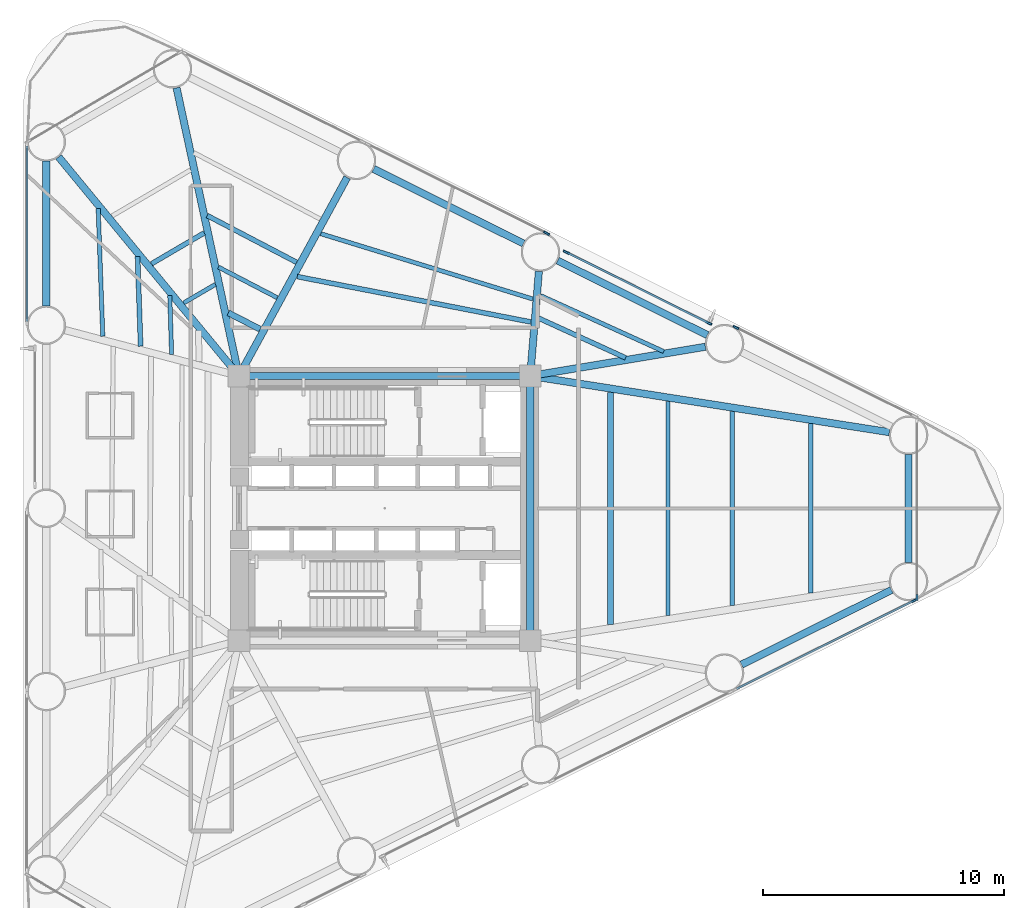
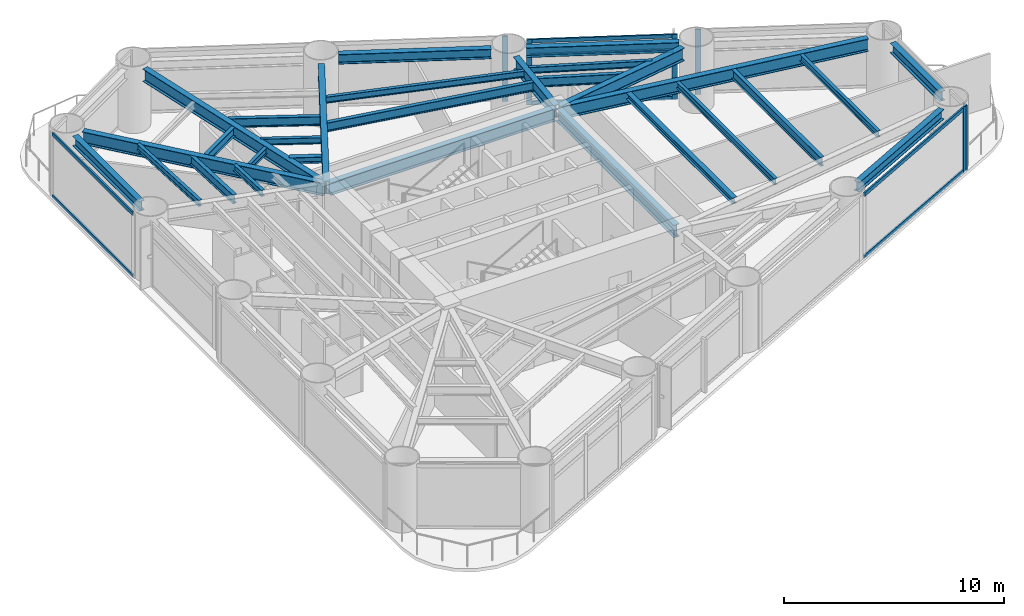
# One storey, part 3 of 10: 29 beams, 13 members, 6 elements without a shape of their own.
"""IFC4 building model written with IfcOpenShell, lengths in metres."""

from ifc_helpers import new_model, si_unit, direction, frame, origin, origin_2d, place, context, subcontext, project, spatial, rectangle, i_section, extrude, source, transform, mapped, material, layer, layer_set, material_profile, profile_set, type_object, element, aggregate, save


model = new_model("IFC4")

# Units and contexts
model_context = context("Model", 3, precision=1e-05, world=origin(), true_north=direction((0.0, 1.0)))
body_context = subcontext(model_context, "Body", "Model", "MODEL_VIEW")
ifc_project = project(units=[si_unit("LENGTHUNIT", "METRE"), si_unit("AREAUNIT", "SQUARE_METRE"), si_unit("VOLUMEUNIT", "CUBIC_METRE"), si_unit("PLANEANGLEUNIT", "RADIAN"), si_unit("MASSUNIT", "GRAM", prefix="KILO")], contexts=[model_context])

# Site, building, storey
site_placement = place(None, origin())
site = spatial("IfcSite", under=ifc_project, at=site_placement, CompositionType="ELEMENT")
building_placement = place(site_placement, origin())
building = spatial("IfcBuilding", under=site, at=building_placement, Name="Yunling Apex Tower", CompositionType="ELEMENT")
storey_placement = place(building_placement, frame((0.0, 0.0, 27.5)))
storey = spatial("IfcBuildingStorey", under=building, at=storey_placement, Name="L08", CompositionType="ELEMENT", Elevation=27.5)

# Beams
ifc_material_1 = material(Name="Steel Q355B", Category="steel")
ifc_material_profile_1 = material_profile(ifc_material_1, i_section(OverallWidth=0.300048828125, OverallDepth=0.699951171875, WebThickness=0.012939453125, FlangeThickness=0.02392578125, FilletRadius=0.02587890625, at=origin_2d()))
ifc_profile_set_1 = profile_set([ifc_material_profile_1], Name="Steel Q355B")
beam_type_1 = type_object("IfcBeamType", Name="BG-PRI-3", PredefinedType="USERDEFINED", material=ifc_profile_set_1)
shared_shape_1 = source(origin(), body_context, "Body", "SweptSolid", [
    extrude(i_section(OverallWidth=0.300048828125, OverallDepth=0.699951171875, WebThickness=0.012939453125, FlangeThickness=0.02392578125, FilletRadius=0.02587890625, at=origin_2d()), origin(), (0.0, 0.0, 1.0), 11.7998046875),
])
beam_1_placement = place(storey_placement, frame((5.89990234375, 5.5, 3.1650390625), z_axis=(-1.0, 0.0, 0.0), x_axis=(0.0, -1.0, 0.0)))
element("IfcBeam", 1, at=beam_1_placement, inside=storey, type_object=beam_type_1, Name="L08 Core Ring Tie Beam 3", ObjectType="GIRDER", PredefinedType="USERDEFINED", context=body_context, shape_type="MappedRepresentation", body=[
    mapped(shared_shape_1, transform((0.0, 0.0, 0.0), scale=1.0)),
])
shared_shape_2 = source(origin(), body_context, "Body", "SweptSolid", [
    extrude(i_section(OverallWidth=0.300048828125, OverallDepth=0.699951171875, WebThickness=0.012939453125, FlangeThickness=0.02392578125, FilletRadius=0.02587890625, at=origin_2d()), origin(), (0.0, 0.0, 1.0), 10.7001953125),
])
beam_2_placement = place(storey_placement, frame((6.050048828125, -5.35009765625, 3.1650390625), z_axis=(0.0, 1.0, 0.0), x_axis=(-1.0, 0.0, 0.0)))
element("IfcBeam", 2, at=beam_2_placement, inside=storey, type_object=beam_type_1, Name="L08 Core Ring Tie Beam 2", ObjectType="GIRDER", PredefinedType="USERDEFINED", context=body_context, shape_type="MappedRepresentation", body=[
    mapped(shared_shape_2, transform((0.0, 0.0, 0.0), scale=1.0)),
])
ifc_material_profile_2 = material_profile(ifc_material_1, i_section(OverallWidth=0.300048828125, OverallDepth=0.5400390625, WebThickness=0.011962890625, FlangeThickness=0.02001953125, FilletRadius=0.02392578125, at=origin_2d()))
ifc_profile_set_2 = profile_set([ifc_material_profile_2], Name="Steel Q355B")
beam_type_2 = type_object("IfcBeamType", Name="BP-SPN-1", PredefinedType="SPANDREL", material=ifc_profile_set_2)
shared_shape_3 = source(origin(), body_context, "Body", "SweptSolid", [
    extrude(i_section(OverallWidth=0.300048828125, OverallDepth=0.5400390625, WebThickness=0.011962890625, FlangeThickness=0.02001953125, FilletRadius=0.02392578125, at=origin_2d()), origin(), (0.0, 0.0, 1.0), 6.950927734375),
])
for number, where, z_axis, x_axis, name in (
    (3, (14.83251953125, -6.48974609375, 3.2451171875), (0.895247556401, 0.445569088646, 0.0), (-0.445569088646, 0.895247556401, 0.0), "L08 Perimeter Spandrel Beam 4"),
    (4, (5.7666015625, 11.002197265625, 3.2451171875), (-0.895247556401, 0.445569088646, 0.0), (-0.445569088646, -0.895247556401, 0.0), "L08 Perimeter Spandrel Beam 8"),
):
    element("IfcBeam", number, at=place(storey_placement, frame(where, z_axis=z_axis, x_axis=x_axis)), inside=storey, type_object=beam_type_2, Name=name, PredefinedType="SPANDREL", context=body_context, shape_type="MappedRepresentation", body=[
        mapped(shared_shape_3, transform((0.0, 0.0, 0.0), scale=1.0)),
    ])
shared_shape_4 = source(origin(), body_context, "Body", "SweptSolid", [
    extrude(i_section(OverallWidth=0.300048828125, OverallDepth=0.5400390625, WebThickness=0.011962890625, FlangeThickness=0.02001953125, FilletRadius=0.02392578125, at=origin_2d()), origin(), (0.0, 0.0, 1.0), 6.95068359375),
])
beam_3_placement = place(storey_placement, frame((13.410888671875, 7.197509765625, 3.2451171875), z_axis=(-0.895254593944, 0.445554948375, 0.0), x_axis=(-0.445554948375, -0.895254593944, 0.0)))
element("IfcBeam", 5, at=beam_3_placement, inside=storey, type_object=beam_type_2, Name="L08 Perimeter Spandrel Beam 7", PredefinedType="SPANDREL", context=body_context, shape_type="MappedRepresentation", body=[
    mapped(shared_shape_4, transform((0.0, 0.0, 0.0), scale=1.0)),
])
shared_shape_5 = source(origin(), body_context, "Body", "SweptSolid", [
    extrude(i_section(OverallWidth=0.300048828125, OverallDepth=0.5400390625, WebThickness=0.011962890625, FlangeThickness=0.02001953125, FilletRadius=0.02392578125, at=origin_2d()), origin(), (0.0, 0.0, 1.0), 4.48974609375),
])
beam_4_placement = place(storey_placement, frame((21.76611328125, -2.244873046875, 3.2451171875), z_axis=(0.0, 1.0, 0.0), x_axis=(-1.0, 0.0, 0.0)))
element("IfcBeam", 6, at=beam_4_placement, inside=storey, type_object=beam_type_2, Name="L08 Perimeter Spandrel Beam 5", PredefinedType="SPANDREL", context=body_context, shape_type="MappedRepresentation", body=[
    mapped(shared_shape_5, transform((0.0, 0.0, 0.0), scale=1.0)),
])
shared_shape_6 = source(origin(), body_context, "Body", "SweptSolid", [
    extrude(i_section(OverallWidth=0.300048828125, OverallDepth=0.5400390625, WebThickness=0.011962890625, FlangeThickness=0.02001953125, FilletRadius=0.02392578125, at=origin_2d()), origin(), (0.0, 0.0, 1.0), 6.021240234375),
])
beam_5_placement = place(storey_placement, frame((-14.052001953125, 14.4248046875, 3.2451171875), z_axis=(0.0, -1.0, 0.0), x_axis=(1.0, 0.0, 0.0)))
element("IfcBeam", 7, at=beam_5_placement, inside=storey, type_object=beam_type_2, Name="L08 Perimeter Spandrel Beam 11", PredefinedType="SPANDREL", context=body_context, shape_type="MappedRepresentation", body=[
    mapped(shared_shape_6, transform((0.0, 0.0, 0.0), scale=1.0)),
])
shared_shape_7 = source(origin(), body_context, "Body", "SweptSolid", [
    extrude(i_section(OverallWidth=0.300048828125, OverallDepth=0.699951171875, WebThickness=0.012939453125, FlangeThickness=0.02392578125, FilletRadius=0.02587890625, at=origin_2d()), origin(), (0.0, 0.0, 1.0), 12.165283203125),
])
beam_6_placement = place(storey_placement, frame((-8.640625, 17.468017578125, 3.1650390625), z_axis=(0.2115638914, -0.977364169517, 0.0), x_axis=(0.977364169517, 0.2115638914, 0.0)))
element("IfcBeam", 8, at=beam_6_placement, inside=storey, type_object=beam_type_1, Name="L08 Radial Primary Girder R10", ObjectType="GIRDER", PredefinedType="USERDEFINED", context=body_context, shape_type="MappedRepresentation", body=[
    mapped(shared_shape_7, transform((0.0, 0.0, 0.0), scale=1.0)),
])
shared_shape_8 = source(origin(), body_context, "Body", "SweptSolid", [
    extrude(i_section(OverallWidth=0.300048828125, OverallDepth=0.699951171875, WebThickness=0.012939453125, FlangeThickness=0.02392578125, FilletRadius=0.02587890625, at=origin_2d()), origin(), (0.0, 0.0, 1.0), 9.31005859375),
])
beam_7_placement = place(storey_placement, frame((-1.553955078125, 13.74365234375, 3.1650390625), z_axis=(-0.478817221141, -0.877914613581, 0.0), x_axis=(0.877914613581, -0.478817221141, 0.0)))
element("IfcBeam", 9, at=beam_7_placement, inside=storey, type_object=beam_type_1, Name="L08 Radial Primary Girder R09", ObjectType="GIRDER", PredefinedType="USERDEFINED", context=body_context, shape_type="MappedRepresentation", body=[
    mapped(shared_shape_8, transform((0.0, 0.0, 0.0), scale=1.0)),
])
shared_shape_9 = source(origin(), body_context, "Body", "SweptSolid", [
    extrude(i_section(OverallWidth=0.300048828125, OverallDepth=0.699951171875, WebThickness=0.012939453125, FlangeThickness=0.02392578125, FilletRadius=0.02587890625, at=origin_2d()), origin(), (0.0, 0.0, 1.0), 4.278076171875),
])
beam_8_placement = place(storey_placement, frame((6.41064453125, 9.843017578125, 3.1650390625), z_axis=(-0.082747937789, -0.996570508691, 0.0), x_axis=(0.996570508691, -0.082747937789, 0.0)))
element("IfcBeam", 10, at=beam_8_placement, inside=storey, type_object=beam_type_1, Name="L08 Radial Primary Girder R08", ObjectType="GIRDER", PredefinedType="USERDEFINED", context=body_context, shape_type="MappedRepresentation", body=[
    mapped(shared_shape_9, transform((0.0, 0.0, 0.0), scale=1.0)),
])
shared_shape_10 = source(origin(), body_context, "Body", "SweptSolid", [
    extrude(i_section(OverallWidth=0.300048828125, OverallDepth=0.699951171875, WebThickness=0.012939453125, FlangeThickness=0.02392578125, FilletRadius=0.02587890625, at=origin_2d()), origin(), (0.0, 0.0, 1.0), 7.294921875),
])
beam_9_placement = place(storey_placement, frame((13.32470703125, 6.7109375, 3.1650390625), z_axis=(-0.98642827455, -0.164192750049, 0.0), x_axis=(0.164192750049, -0.98642827455, 0.0)))
element("IfcBeam", 11, at=beam_9_placement, inside=storey, type_object=beam_type_1, Name="L08 Radial Primary Girder R07", ObjectType="GIRDER", PredefinedType="USERDEFINED", context=body_context, shape_type="MappedRepresentation", body=[
    mapped(shared_shape_10, transform((0.0, 0.0, 0.0), scale=1.0)),
])
shared_shape_11 = source(origin(), body_context, "Body", "SweptSolid", [
    extrude(i_section(OverallWidth=0.300048828125, OverallDepth=0.699951171875, WebThickness=0.012939453125, FlangeThickness=0.02392578125, FilletRadius=0.02587890625, at=origin_2d()), origin(), (0.0, 0.0, 1.0), 15.02001953125),
])
beam_10_placement = place(storey_placement, frame((20.968017578125, 3.163818359375, 3.1650390625), z_axis=(-0.987959991473, 0.154709583568, 0.0), x_axis=(-0.154709583568, -0.987959991473, 0.0)))
element("IfcBeam", 12, at=beam_10_placement, inside=storey, type_object=beam_type_1, Name="L08 Radial Primary Girder R06", ObjectType="GIRDER", PredefinedType="USERDEFINED", context=body_context, shape_type="MappedRepresentation", body=[
    mapped(shared_shape_11, transform((0.0, 0.0, 0.0), scale=1.0)),
])
shared_shape_12 = source(origin(), body_context, "Body", "SweptSolid", [
    extrude(i_section(OverallWidth=0.300048828125, OverallDepth=0.699951171875, WebThickness=0.012939453125, FlangeThickness=0.02392578125, FilletRadius=0.02587890625, at=origin_2d()), origin(), (0.0, 0.0, 1.0), 11.701171875),
])
beam_11_placement = place(storey_placement, frame((-13.538330078125, 14.59521484375, 3.1650390625), z_axis=(0.635615100524, -0.772006116547, 0.0), x_axis=(0.772006116547, 0.635615100524, 0.0)))
element("IfcBeam", 13, at=beam_11_placement, inside=storey, type_object=beam_type_1, Name="L08 Radial Primary Girder R11", ObjectType="GIRDER", PredefinedType="USERDEFINED", context=body_context, shape_type="MappedRepresentation", body=[
    mapped(shared_shape_12, transform((0.0, 0.0, 0.0), scale=1.0)),
])
ifc_material_profile_3 = material_profile(ifc_material_1, i_section(OverallWidth=0.199951171875, OverallDepth=0.5, WebThickness=0.010009765625, FlangeThickness=0.01611328125, FilletRadius=0.02001953125, at=origin_2d()))
ifc_profile_set_3 = profile_set([ifc_material_profile_3], Name="Steel Q355B")
beam_type_3 = type_object("IfcBeamType", Name="BS-SEC-2", PredefinedType="BEAM", material=ifc_profile_set_3)
shared_shape_13 = source(origin(), body_context, "Body", "SweptSolid", [
    extrude(i_section(OverallWidth=0.199951171875, OverallDepth=0.5, WebThickness=0.010009765625, FlangeThickness=0.01611328125, FilletRadius=0.02001953125, at=origin_2d()), origin(), (0.0, 0.0, 1.0), 4.186279296875),
])
beam_12_placement = place(storey_placement, frame((-3.6572265625, 10.221435546875, 3.264892578125), z_axis=(-0.886028927656, 0.463629959512, 0.0), x_axis=(-0.463629959512, -0.886028927656, 0.0)))
element("IfcBeam", 14, at=beam_12_placement, inside=storey, type_object=beam_type_3, Name="L08 Composite Floor Beam BS-9", PredefinedType="BEAM", context=body_context, shape_type="MappedRepresentation", body=[
    mapped(shared_shape_13, transform((0.0, 0.0, 0.0), scale=1.0)),
])
ifc_material_profile_4 = material_profile(ifc_material_1, i_section(OverallWidth=0.175048828125, OverallDepth=0.35009765625, WebThickness=0.007080078125, FlangeThickness=0.010986328125, FilletRadius=0.013916015625, at=origin_2d()))
ifc_profile_set_4 = profile_set([ifc_material_profile_4], Name="Steel Q355B")
beam_type_4 = type_object("IfcBeamType", Name="BJ-JST-1", PredefinedType="JOIST", material=ifc_profile_set_4)
shared_shape_14 = source(origin(), body_context, "Body", "SweptSolid", [
    extrude(i_section(OverallWidth=0.175048828125, OverallDepth=0.35009765625, WebThickness=0.007080078125, FlangeThickness=0.010986328125, FilletRadius=0.013916015625, at=origin_2d()), origin(), (0.0, 0.0, 1.0), 2.7548828125),
])
beam_13_placement = place(storey_placement, frame((-4.459716796875, 8.75, 3.340087890625), z_axis=(-0.886932237595, 0.461899562584, 0.0), x_axis=(-0.461899562584, -0.886932237595, 0.0)))
element("IfcBeam", 15, at=beam_13_placement, inside=storey, type_object=beam_type_4, Name="L08 Composite Floor Joist BJ3-9", PredefinedType="JOIST", context=body_context, shape_type="MappedRepresentation", body=[
    mapped(shared_shape_14, transform((0.0, 0.0, 0.0), scale=1.0)),
])
ifc_material_profile_5 = material_profile(ifc_material_1, i_section(OverallWidth=0.25, OverallDepth=0.340087890625, WebThickness=0.009033203125, FlangeThickness=0.013916015625, FilletRadius=0.01806640625, at=origin_2d()))
ifc_profile_set_5 = profile_set([ifc_material_profile_5], Name="Steel Q355B")
beam_type_5 = type_object("IfcBeamType", Name="BJ-JST-2", PredefinedType="JOIST", material=ifc_profile_set_5)
shared_shape_15 = source(origin(), body_context, "Body", "SweptSolid", [
    extrude(i_section(OverallWidth=0.25, OverallDepth=0.340087890625, WebThickness=0.009033203125, FlangeThickness=0.013916015625, FilletRadius=0.01806640625, at=origin_2d()), origin(), (0.0, 0.0, 1.0), 1.482421875),
])
beam_14_placement = place(storey_placement, frame((-5.173095703125, 7.441650390625, 3.344970703125), z_axis=(-0.888960334438, 0.457984196012, 0.0), x_axis=(-0.457984196012, -0.888960334438, 0.0)))
element("IfcBeam", 16, at=beam_14_placement, inside=storey, type_object=beam_type_5, Name="L08 Composite Floor Joist BJ2-9", PredefinedType="JOIST", context=body_context, shape_type="MappedRepresentation", body=[
    mapped(shared_shape_15, transform((0.0, 0.0, 0.0), scale=1.0)),
])
shared_shape_16 = source(origin(), body_context, "Body", "SweptSolid", [
    extrude(i_section(OverallWidth=0.199951171875, OverallDepth=0.5, WebThickness=0.010009765625, FlangeThickness=0.01611328125, FilletRadius=0.02001953125, at=origin_2d()), origin(), (0.0, 0.0, 1.0), 9.883544921875),
])
beam_15_placement = place(storey_placement, frame((6.076416015625, 7.741943359375, 3.264892578125), z_axis=(-0.981653423938, 0.190673950161, 0.0), x_axis=(-0.190673950161, -0.981653423938, 0.0)))
element("IfcBeam", 17, at=beam_15_placement, inside=storey, type_object=beam_type_3, Name="L08 Composite Floor Beam BS-8", PredefinedType="BEAM", context=body_context, shape_type="MappedRepresentation", body=[
    mapped(shared_shape_16, transform((0.0, 0.0, 0.0), scale=1.0)),
])
shared_shape_17 = source(origin(), body_context, "Body", "SweptSolid", [
    extrude(i_section(OverallWidth=0.175048828125, OverallDepth=0.35009765625, WebThickness=0.007080078125, FlangeThickness=0.010986328125, FilletRadius=0.013916015625, at=origin_2d()), origin(), (0.0, 0.0, 1.0), 9.2158203125),
])
beam_16_placement = place(storey_placement, frame((6.15869140625, 8.6962890625, 3.340087890625), z_axis=(-0.955731454849, 0.294240354492, 0.0), x_axis=(-0.294240354492, -0.955731454849, 0.0)))
element("IfcBeam", 18, at=beam_16_placement, inside=storey, type_object=beam_type_4, Name="L08 Composite Floor Joist BJ1-8", PredefinedType="JOIST", context=body_context, shape_type="MappedRepresentation", body=[
    mapped(shared_shape_17, transform((0.0, 0.0, 0.0), scale=1.0)),
])
shared_shape_18 = source(origin(), body_context, "Body", "SweptSolid", [
    extrude(i_section(OverallWidth=0.199951171875, OverallDepth=0.5, WebThickness=0.010009765625, FlangeThickness=0.01611328125, FilletRadius=0.02001953125, at=origin_2d()), origin(), (0.0, 0.0, 1.0), 3.971923828125),
])
beam_17_placement = place(storey_placement, frame((10.01318359375, 6.25048828125, 3.264892578125), z_axis=(-0.909609234888, 0.415464847858, 0.0), x_axis=(-0.415464847858, -0.909609234888, 0.0)))
element("IfcBeam", 19, at=beam_17_placement, inside=storey, type_object=beam_type_3, Name="L08 Composite Floor Beam BS-7", PredefinedType="BEAM", context=body_context, shape_type="MappedRepresentation", body=[
    mapped(shared_shape_18, transform((0.0, 0.0, 0.0), scale=1.0)),
])
shared_shape_19 = source(origin(), body_context, "Body", "SweptSolid", [
    extrude(i_section(OverallWidth=0.175048828125, OverallDepth=0.35009765625, WebThickness=0.007080078125, FlangeThickness=0.010986328125, FilletRadius=0.013916015625, at=origin_2d()), origin(), (0.0, 0.0, 1.0), 5.62109375),
])
beam_18_placement = place(storey_placement, frame((11.595947265625, 6.513671875, 3.340087890625), z_axis=(-0.910411095702, 0.413704770124, 0.0), x_axis=(-0.413704770124, -0.910411095702, 0.0)))
element("IfcBeam", 20, at=beam_18_placement, inside=storey, type_object=beam_type_4, Name="L08 Composite Floor Joist BJ1-7", PredefinedType="JOIST", context=body_context, shape_type="MappedRepresentation", body=[
    mapped(shared_shape_19, transform((0.0, 0.0, 0.0), scale=1.0)),
])
shared_shape_20 = source(origin(), body_context, "Body", "SweptSolid", [
    extrude(i_section(OverallWidth=0.199951171875, OverallDepth=0.5, WebThickness=0.010009765625, FlangeThickness=0.01611328125, FilletRadius=0.02001953125, at=origin_2d()), origin(), (0.0, 0.0, 1.0), 8.052734375),
])
beam_19_placement = place(storey_placement, frame((14.438720703125, -4.0263671875, 3.264892578125), z_axis=(0.0, 1.0, 0.0), x_axis=(-1.0, 0.0, 0.0)))
element("IfcBeam", 21, at=beam_19_placement, inside=storey, type_object=beam_type_3, Name="L08 Composite Floor Beam BS-5", PredefinedType="BEAM", context=body_context, shape_type="MappedRepresentation", body=[
    mapped(shared_shape_20, transform((0.0, 0.0, 0.0), scale=1.0)),
])
shared_shape_21 = source(origin(), body_context, "Body", "SweptSolid", [
    extrude(i_section(OverallWidth=0.175048828125, OverallDepth=0.35009765625, WebThickness=0.007080078125, FlangeThickness=0.010986328125, FilletRadius=0.013916015625, at=origin_2d()), origin(), (0.0, 0.0, 1.0), 7.02978515625),
])
beam_20_placement = place(storey_placement, frame((17.703369140625, -3.514892578125, 3.340087890625), z_axis=(0.0, 1.0, 0.0), x_axis=(-1.0, 0.0, 0.0)))
element("IfcBeam", 22, at=beam_20_placement, inside=storey, type_object=beam_type_4, Name="L08 Composite Floor Joist BJ1-5", PredefinedType="JOIST", context=body_context, shape_type="MappedRepresentation", body=[
    mapped(shared_shape_21, transform((0.0, 0.0, 0.0), scale=1.0)),
])
shared_shape_22 = source(origin(), body_context, "Body", "SweptSolid", [
    extrude(i_section(OverallWidth=0.175048828125, OverallDepth=0.35009765625, WebThickness=0.007080078125, FlangeThickness=0.010986328125, FilletRadius=0.013916015625, at=origin_2d()), origin(), (0.0, 0.0, 1.0), 8.88916015625),
])
beam_21_placement = place(storey_placement, frame((11.767822265625, -4.444580078125, 3.340087890625), z_axis=(0.0, 1.0, 0.0), x_axis=(-1.0, 0.0, 0.0)))
element("IfcBeam", 23, at=beam_21_placement, inside=storey, type_object=beam_type_4, Name="L08 Composite Floor Joist BJ3-5", PredefinedType="JOIST", context=body_context, shape_type="MappedRepresentation", body=[
    mapped(shared_shape_22, transform((0.0, 0.0, 0.0), scale=1.0)),
])
shared_shape_23 = source(origin(), body_context, "Body", "SweptSolid", [
    extrude(i_section(OverallWidth=0.25, OverallDepth=0.340087890625, WebThickness=0.009033203125, FlangeThickness=0.013916015625, FilletRadius=0.01806640625, at=origin_2d()), origin(), (0.0, 0.0, 1.0), 9.6328125),
])
beam_22_placement = place(storey_placement, frame((9.3935546875, -4.81640625, 3.344970703125), z_axis=(0.0, 1.0, 0.0), x_axis=(-1.0, 0.0, 0.0)))
element("IfcBeam", 24, at=beam_22_placement, inside=storey, type_object=beam_type_5, Name="L08 Composite Floor Joist BJ2-5", PredefinedType="JOIST", context=body_context, shape_type="MappedRepresentation", body=[
    mapped(shared_shape_23, transform((0.0, 0.0, 0.0), scale=1.0)),
])
shared_shape_24 = source(origin(), body_context, "Body", "SweptSolid", [
    extrude(i_section(OverallWidth=0.199951171875, OverallDepth=0.5, WebThickness=0.010009765625, FlangeThickness=0.01611328125, FilletRadius=0.02001953125, at=origin_2d()), origin(), (0.0, 0.0, 1.0), 2.5380859375),
])
beam_23_placement = place(storey_placement, frame((-7.49169921875, 11.4423828125, 3.264892578125), z_axis=(-0.862768873171, -0.505598527972, 0.0), x_axis=(0.505598527972, -0.862768873171, 0.0)))
element("IfcBeam", 25, at=beam_23_placement, inside=storey, type_object=beam_type_3, Name="L08 Composite Floor Beam BS-10", PredefinedType="BEAM", context=body_context, shape_type="MappedRepresentation", body=[
    mapped(shared_shape_24, transform((0.0, 0.0, 0.0), scale=1.0)),
])
shared_shape_25 = source(origin(), body_context, "Body", "SweptSolid", [
    extrude(i_section(OverallWidth=0.175048828125, OverallDepth=0.35009765625, WebThickness=0.007080078125, FlangeThickness=0.010986328125, FilletRadius=0.013916015625, at=origin_2d()), origin(), (0.0, 0.0, 1.0), 1.522705078125),
])
beam_24_placement = place(storey_placement, frame((-7.028564453125, 9.30224609375, 3.340087890625), z_axis=(-0.863086068208, -0.505056866962, 0.0), x_axis=(0.505056866962, -0.863086068208, 0.0)))
element("IfcBeam", 26, at=beam_24_placement, inside=storey, type_object=beam_type_4, Name="L08 Composite Floor Joist BJ3-10", PredefinedType="JOIST", context=body_context, shape_type="MappedRepresentation", body=[
    mapped(shared_shape_25, transform((0.0, 0.0, 0.0), scale=1.0)),
])
shared_shape_26 = source(origin(), body_context, "Body", "SweptSolid", [
    extrude(i_section(OverallWidth=0.199951171875, OverallDepth=0.5, WebThickness=0.010009765625, FlangeThickness=0.01611328125, FilletRadius=0.02001953125, at=origin_2d()), origin(), (0.0, 0.0, 1.0), 3.727783203125),
])
beam_25_placement = place(storey_placement, frame((-10.260498046875, 10.46044921875, 3.264892578125), z_axis=(0.034187081609, -0.999415450877, 0.0), x_axis=(0.999415450877, 0.034187081609, 0.0)))
element("IfcBeam", 27, at=beam_25_placement, inside=storey, type_object=beam_type_3, Name="L08 Composite Floor Beam BS-11", PredefinedType="BEAM", context=body_context, shape_type="MappedRepresentation", body=[
    mapped(shared_shape_26, transform((0.0, 0.0, 0.0), scale=1.0)),
])
shared_shape_27 = source(origin(), body_context, "Body", "SweptSolid", [
    extrude(i_section(OverallWidth=0.175048828125, OverallDepth=0.35009765625, WebThickness=0.007080078125, FlangeThickness=0.010986328125, FilletRadius=0.013916015625, at=origin_2d()), origin(), (0.0, 0.0, 1.0), 5.30224609375),
])
beam_26_placement = place(storey_placement, frame((-11.896484375, 12.447998046875, 3.340087890625), z_axis=(0.036144814399, -0.999346562706, 0.0), x_axis=(0.999346562706, 0.036144814399, 0.0)))
element("IfcBeam", 28, at=beam_26_placement, inside=storey, type_object=beam_type_4, Name="L08 Composite Floor Joist BJ1-11", PredefinedType="JOIST", context=body_context, shape_type="MappedRepresentation", body=[
    mapped(shared_shape_27, transform((0.0, 0.0, 0.0), scale=1.0)),
])
shared_shape_28 = source(origin(), body_context, "Body", "SweptSolid", [
    extrude(i_section(OverallWidth=0.175048828125, OverallDepth=0.35009765625, WebThickness=0.007080078125, FlangeThickness=0.010986328125, FilletRadius=0.013916015625, at=origin_2d()), origin(), (0.0, 0.0, 1.0), 2.439697265625),
])
beam_27_placement = place(storey_placement, frame((-8.922119140625, 8.83447265625, 3.340087890625), z_axis=(0.03092233012, -0.999521790408, 0.0), x_axis=(0.999521790408, 0.03092233012, 0.0)))
element("IfcBeam", 29, at=beam_27_placement, inside=storey, type_object=beam_type_4, Name="L08 Composite Floor Joist BJ3-11", PredefinedType="JOIST", context=body_context, shape_type="MappedRepresentation", body=[
    mapped(shared_shape_28, transform((0.0, 0.0, 0.0), scale=1.0)),
])

# Curtain wall, member
ifc_material_2 = material(Name="Bronze anodised aluminium", Category="aluminium")
ifc_layer = layer(ifc_material_2, 0.260009765625)
ifc_layer_set = layer_set([ifc_layer], Name="Bronze anodised aluminium")
curtain_wall_type = type_object("IfcCurtainWallType", Name="CW-SYS-2", PredefinedType="NOTDEFINED", material=ifc_layer_set)
curtain_wall_1_placement = place(storey_placement, origin())
curtain_wall_1 = element("IfcCurtainWall", 30, at=curtain_wall_1_placement, inside=storey, type_object=curtain_wall_type, Name="CW-L08-F1-B4", PredefinedType="NOTDEFINED")
ifc_material_profile_6 = material_profile(ifc_material_2, rectangle(XDim=0.0849609375, YDim=0.260009765625, at=origin_2d()))
ifc_profile_set_6 = profile_set([ifc_material_profile_6], Name="Bronze anodised aluminium")
member_type_1 = type_object("IfcMemberType", Name="CW-MUL-2", PredefinedType="MULLION", material=ifc_profile_set_6)
shared_shape_29 = source(origin(), body_context, "Body", "SweptSolid", [
    extrude(rectangle(XDim=0.0849609375, YDim=0.260009765625, at=origin_2d()), origin(), (0.0, 0.0, 1.0), 3.614990234375),
])
member_1_placement = place(storey_placement, frame((22.017333984375, -3.818603515625, -0.050048828125), z_axis=(0.0, 0.0, 1.0), x_axis=(-0.445580190214, 0.895242031011, 0.0)))
member_1 = element("IfcMember", 31, at=member_1_placement, type_object=member_type_1, Name="CW-SYS-2 mullion 2", PredefinedType="MULLION", context=body_context, shape_type="MappedRepresentation", body=[
    mapped(shared_shape_29, transform((0.0, 0.0, 0.0), scale=1.0)),
])

curtain_wall_2_placement = place(storey_placement, origin())
curtain_wall_2 = element("IfcCurtainWall", 32, at=curtain_wall_2_placement, inside=storey, type_object=curtain_wall_type, Name="CW-L08-CRN1", PredefinedType="NOTDEFINED")
member_2_placement = place(storey_placement, frame((22.1181640625, -3.70361328125, -0.050048828125), z_axis=(0.0, 0.0, 1.0), x_axis=(-1.0, 0.0, 0.0)))
member_2 = element("IfcMember", 33, at=member_2_placement, type_object=member_type_1, Name="CW-SYS-2 mullion 1", PredefinedType="MULLION", context=body_context, shape_type="MappedRepresentation", body=[
    mapped(shared_shape_29, transform((0.0, 0.0, 0.0), scale=1.0)),
])
aggregate(curtain_wall_2, [member_2])

curtain_wall_3_placement = place(storey_placement, origin())
curtain_wall_3 = element("IfcCurtainWall", 34, at=curtain_wall_3_placement, inside=storey, type_object=curtain_wall_type, Name="CW-L08-F2-B1", PredefinedType="NOTDEFINED")
member_3_placement = place(storey_placement, frame((14.59228515625, 7.51416015625, -0.050048828125), z_axis=(0.0, 0.0, 1.0), x_axis=(-0.445580190214, -0.895242031011, 0.0)))
member_3 = element("IfcMember", 35, at=member_3_placement, type_object=member_type_1, Name="CW-SYS-2 mullion 2", PredefinedType="MULLION", context=body_context, shape_type="MappedRepresentation", body=[
    mapped(shared_shape_29, transform((0.0, 0.0, 0.0), scale=1.0)),
])
aggregate(curtain_wall_3, [member_3])

# Curtain wall, members
curtain_wall_4_placement = place(storey_placement, origin())
curtain_wall_4 = element("IfcCurtainWall", 36, at=curtain_wall_4_placement, inside=storey, type_object=curtain_wall_type, Name="CW-L08-F2-B2", PredefinedType="NOTDEFINED")
member_4_placement = place(storey_placement, frame((13.469482421875, 7.693115234375, -0.050048828125), z_axis=(0.0, 0.0, 1.0), x_axis=(-0.445576771947, -0.895243732344, 0.0)))
member_4 = element("IfcMember", 37, at=member_4_placement, type_object=member_type_1, Name="CW-SYS-2 mullion 1", PredefinedType="MULLION", context=body_context, shape_type="MappedRepresentation", body=[
    mapped(shared_shape_29, transform((0.0, 0.0, 0.0), scale=1.0)),
])
member_5_placement = place(storey_placement, frame((7.54833984375, 10.640380859375, -0.050048828125), z_axis=(0.0, 0.0, 1.0), x_axis=(-0.445576771947, -0.895243732344, 0.0)))
member_5 = element("IfcMember", 38, at=member_5_placement, type_object=member_type_1, Name="CW-SYS-2 mullion 2", PredefinedType="MULLION", context=body_context, shape_type="MappedRepresentation", body=[
    mapped(shared_shape_29, transform((0.0, 0.0, 0.0), scale=1.0)),
])

# Curtain wall, member
curtain_wall_5_placement = place(storey_placement, origin())
curtain_wall_5 = element("IfcCurtainWall", 39, at=curtain_wall_5_placement, inside=storey, type_object=curtain_wall_type, Name="CW-L08-F2-B3", PredefinedType="NOTDEFINED")
member_6_placement = place(storey_placement, frame((6.728515625, 11.427978515625, -0.050048828125), z_axis=(0.0, 0.0, 1.0), x_axis=(-0.445580190214, -0.895242031011, 0.0)))
member_6 = element("IfcMember", 40, at=member_6_placement, type_object=member_type_1, Name="CW-SYS-2 mullion 1", PredefinedType="MULLION", context=body_context, shape_type="MappedRepresentation", body=[
    mapped(shared_shape_29, transform((0.0, 0.0, 0.0), scale=1.0)),
])
aggregate(curtain_wall_5, [member_6])

# Member
ifc_material_profile_7 = material_profile(ifc_material_2, rectangle(XDim=0.0849609375, YDim=0.199951171875, at=origin_2d()))
ifc_profile_set_7 = profile_set([ifc_material_profile_7], Name="Bronze anodised aluminium")
member_type_2 = type_object("IfcMemberType", Name="CW-TRN-2", PredefinedType="USERDEFINED", material=ifc_profile_set_7)
shared_shape_30 = source(origin(), body_context, "Body", "SweptSolid", [
    extrude(rectangle(XDim=0.0849609375, YDim=0.199951171875, at=origin_2d()), origin(), (0.0, 0.0, 1.0), 8.21728515625),
])
member_7_placement = place(storey_placement, frame((14.626708984375, -7.4970703125, 0.04248046875), z_axis=(0.895245705371, 0.445572807761, 0.0), x_axis=(-0.445572807761, 0.895245705371, 0.0)))
member_7 = element("IfcMember", 41, at=member_7_placement, type_object=member_type_2, Name="CW-SYS-2 transom 1.1", ObjectType="TRANSOM", PredefinedType="USERDEFINED", context=body_context, shape_type="MappedRepresentation", body=[
    mapped(shared_shape_30, transform((0.0, 0.0, 0.0), scale=1.0)),
])

member_8_placement = place(storey_placement, frame((14.626708984375, -7.4970703125, 3.472412109375), z_axis=(0.895245705371, 0.445572807761, 0.0), x_axis=(-0.445572807761, 0.895245705371, 0.0)))
member_8 = element("IfcMember", 42, at=member_8_placement, type_object=member_type_2, Name="CW-SYS-2 transom 1.2", ObjectType="TRANSOM", PredefinedType="USERDEFINED", context=body_context, shape_type="MappedRepresentation", body=[
    mapped(shared_shape_30, transform((0.0, 0.0, 0.0), scale=1.0)),
])

aggregate(curtain_wall_1, [member_1, member_7, member_8])

# Curtain wall, members
curtain_wall_6_placement = place(storey_placement, origin())
curtain_wall_6 = element("IfcCurtainWall", 43, at=curtain_wall_6_placement, inside=storey, type_object=curtain_wall_type, Name="CW-L08-F3-B1", PredefinedType="NOTDEFINED")
shared_shape_31 = source(origin(), body_context, "Body", "SweptSolid", [
    extrude(rectangle(XDim=0.0849609375, YDim=0.199951171875, at=origin_2d()), origin(), (0.0, 0.0, 1.0), 7.287841796875),
])
member_9_placement = place(storey_placement, frame((-14.862060546875, 15.05810546875, 0.04248046875), z_axis=(0.0, -1.0, 0.0), x_axis=(1.0, 0.0, 0.0)))
member_9 = element("IfcMember", 44, at=member_9_placement, type_object=member_type_2, Name="CW-SYS-2 transom 1.1", ObjectType="TRANSOM", PredefinedType="USERDEFINED", context=body_context, shape_type="MappedRepresentation", body=[
    mapped(shared_shape_31, transform((0.0, 0.0, 0.0), scale=1.0)),
])
member_10_placement = place(storey_placement, frame((-14.862060546875, 15.05810546875, 3.472412109375), z_axis=(0.0, -1.0, 0.0), x_axis=(1.0, 0.0, 0.0)))
member_10 = element("IfcMember", 45, at=member_10_placement, type_object=member_type_2, Name="CW-SYS-2 transom 1.2", ObjectType="TRANSOM", PredefinedType="USERDEFINED", context=body_context, shape_type="MappedRepresentation", body=[
    mapped(shared_shape_31, transform((0.0, 0.0, 0.0), scale=1.0)),
])
aggregate(curtain_wall_6, [member_9, member_10])

# Member
shared_shape_32 = source(origin(), body_context, "Body", "SweptSolid", [
    extrude(rectangle(XDim=0.0849609375, YDim=0.199951171875, at=origin_2d()), origin(), (0.0, 0.0, 1.0), 6.537353515625),
])
member_11_placement = place(storey_placement, frame((13.435302734375, 7.710205078125, 0.04248046875), z_axis=(-0.895232386263, 0.445599567533, 0.0), x_axis=(-0.445599567533, -0.895232386263, 0.0)))
member_11 = element("IfcMember", 46, at=member_11_placement, type_object=member_type_2, Name="CW-SYS-2 transom 1.1", ObjectType="TRANSOM", PredefinedType="USERDEFINED", context=body_context, shape_type="MappedRepresentation", body=[
    mapped(shared_shape_32, transform((0.0, 0.0, 0.0), scale=1.0)),
])

member_12_placement = place(storey_placement, frame((13.435302734375, 7.710205078125, 2.67138671875), z_axis=(-0.895232386263, 0.445599567533, 0.0), x_axis=(-0.445599567533, -0.895232386263, 0.0)))
member_12 = element("IfcMember", 47, at=member_12_placement, type_object=member_type_2, Name="CW-SYS-2 transom 1.2", ObjectType="TRANSOM", PredefinedType="USERDEFINED", context=body_context, shape_type="MappedRepresentation", body=[
    mapped(shared_shape_32, transform((0.0, 0.0, 0.0), scale=1.0)),
])

member_13_placement = place(storey_placement, frame((13.435302734375, 7.710205078125, 3.472412109375), z_axis=(-0.895232386263, 0.445599567533, 0.0), x_axis=(-0.445599567533, -0.895232386263, 0.0)))
member_13 = element("IfcMember", 48, at=member_13_placement, type_object=member_type_2, Name="CW-SYS-2 transom 1.3", ObjectType="TRANSOM", PredefinedType="USERDEFINED", context=body_context, shape_type="MappedRepresentation", body=[
    mapped(shared_shape_32, transform((0.0, 0.0, 0.0), scale=1.0)),
])

aggregate(curtain_wall_4, [member_4, member_5, member_11, member_12, member_13])

save(model, "model.ifc")
